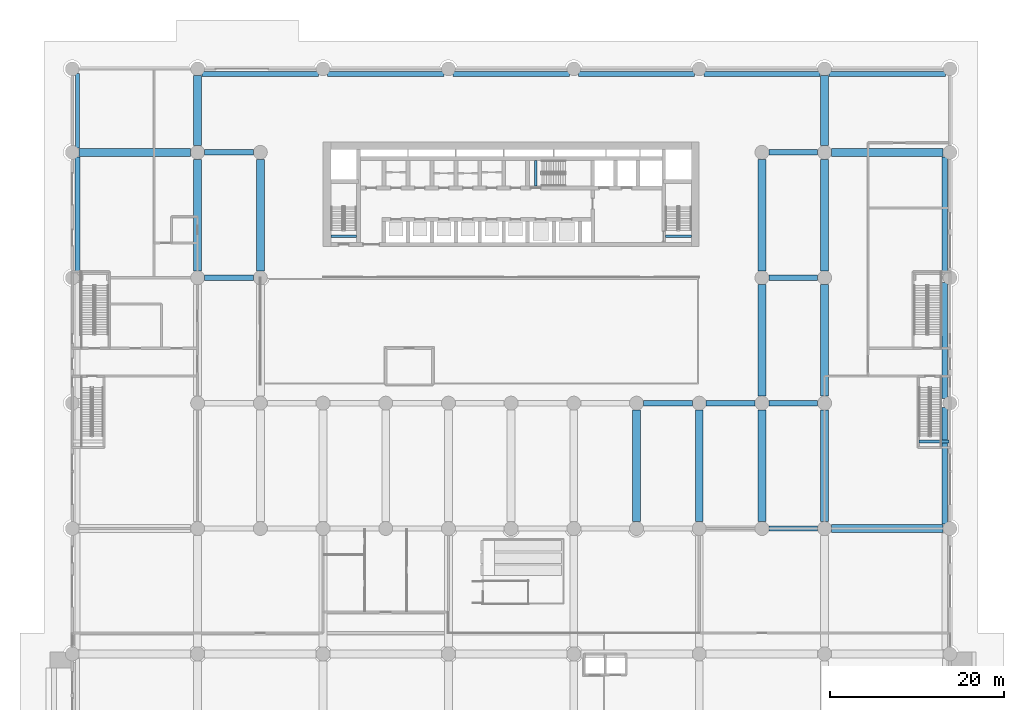
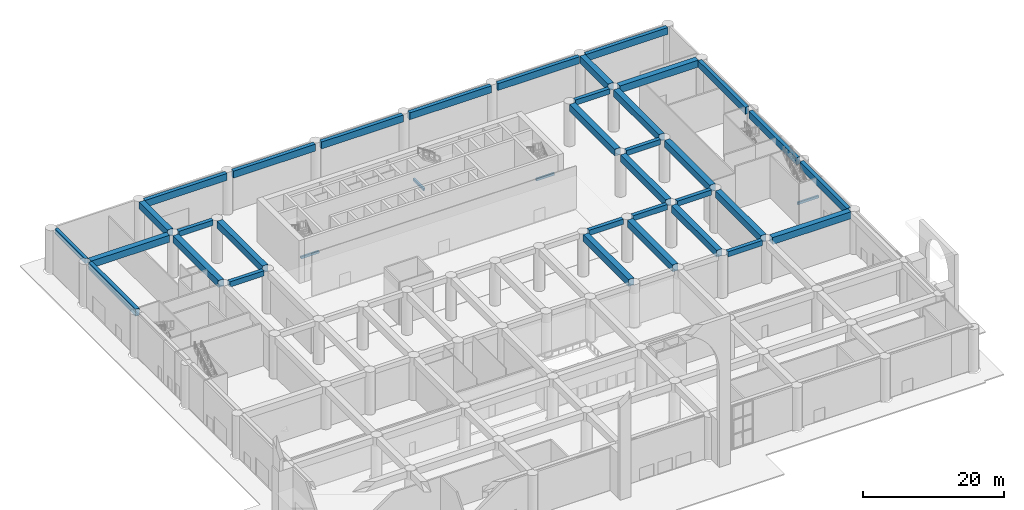
# One storey, part 8 of 32: 38 beams.
"""IFC4 building model written with IfcOpenShell, lengths in metres."""

from ifc_helpers import new_model, si_unit, direction, frame, origin, origin_2d, place, context, subcontext, project, spatial, rectangle, extrude, source, transform, mapped, material, material_profile, profile_set, type_object, element, save


model = new_model("IFC4")

# Units and contexts
model_context = context("Model", 3, precision=1e-05, world=origin(), true_north=direction((0.0, 1.0)))
body_context = subcontext(model_context, "Body", "Model", "MODEL_VIEW")
ifc_project = project(units=[si_unit("LENGTHUNIT", "METRE"), si_unit("AREAUNIT", "SQUARE_METRE"), si_unit("VOLUMEUNIT", "CUBIC_METRE"), si_unit("PLANEANGLEUNIT", "RADIAN"), si_unit("MASSUNIT", "GRAM", prefix="KILO")], contexts=[model_context])

# Site, building, storey
site_placement = place(None, origin())
site = spatial("IfcSite", under=ifc_project, at=site_placement, CompositionType="ELEMENT")
building_placement = place(site_placement, origin())
building = spatial("IfcBuilding", under=site, at=building_placement, Name="Saffron Iwan Residences", CompositionType="ELEMENT")
storey_placement = place(building_placement, origin())
storey = spatial("IfcBuildingStorey", under=building, at=storey_placement, Name="L00", CompositionType="ELEMENT", Elevation=0.0)

# Beams
ifc_material_1 = material(Name="Concrete C50/60", Category="concrete")
ifc_material_profile_1 = material_profile(ifc_material_1, rectangle(XDim=0.5, YDim=0.89990234375, at=origin_2d()), Name="RC 500x900")
ifc_profile_set_1 = profile_set([ifc_material_profile_1], Name="Concrete C50/60")
beam_type_1 = type_object("IfcBeamType", Name="SPANDREL BEAM RC 500x900 C50/60 TOP 7400", PredefinedType="SPANDREL", material=ifc_profile_set_1)
shared_shape_1 = source(origin(), body_context, "Body", "SweptSolid", [
    extrude(rectangle(XDim=0.5, YDim=0.89990234375, at=origin_2d()), origin(), (0.0, 0.0, 1.0), 8.55224609375),
])
beam_1_placement = place(storey_placement, frame((0.60009765625, 77.323974609375, 6.949951171875), z_axis=(0.0, 1.0, 0.0), x_axis=(-1.0, 0.0, 0.0)))
element("IfcBeam", 1, at=beam_1_placement, inside=storey, type_object=beam_type_1, Name="Spandrel beam", PredefinedType="SPANDREL", context=body_context, shape_type="MappedRepresentation", body=[
    mapped(shared_shape_1, transform((0.0, 0.0, 0.0))),
])
ifc_material_profile_2 = material_profile(ifc_material_1, rectangle(XDim=0.60009765625, YDim=1.199951171875, at=origin_2d()), Name="RC 600x1200")
ifc_profile_set_2 = profile_set([ifc_material_profile_2], Name="Concrete C50/60")
beam_type_2 = type_object("IfcBeamType", Name="LINTEL BEAM RC 600x1200 C50/60 TOP 7400", PredefinedType="LINTEL", material=ifc_profile_set_2)
shared_shape_2 = source(origin(), body_context, "Body", "SweptSolid", [
    extrude(rectangle(XDim=0.60009765625, YDim=1.199951171875, at=origin_2d()), origin(), (0.0, 0.0, 1.0), 13.352294921875),
])
for number, where, z_axis, x_axis, name in (
    (2, (100.199951171875, 47.47607421875, 6.800048828125), (0.0, -1.0, 0.0), (1.0, 0.0, 0.0), "Lintel beam over the iwan"),
    (3, (100.199951171875, 61.876220703125, 6.800048828125), (0.0, -1.0, 0.0), (1.0, 0.0, 0.0), "Lintel beam over the iwan"),
    (4, (0.60009765625, 62.923828125, 6.800048828125), (0.0, 1.0, 0.0), (-1.0, 0.0, 0.0), "Lintel beam over the iwan"),
    (5, (100.199951171875, 76.276123046875, 6.800048828125), (0.0, -1.0, 0.0), (1.0, 0.0, 0.0), "Lintel beam over the iwan"),
    (6, (14.923828125, 85.800048828125, 6.800048828125), (1.0, 0.0, 0.0), (0.0, 1.0, 0.0), "Lintel beam over the iwan"),
    (7, (43.723876953125, 85.800048828125, 6.800048828125), (1.0, 0.0, 0.0), (0.0, 1.0, 0.0), "Lintel beam over the iwan"),
    (8, (58.123779296875, 85.800048828125, 6.800048828125), (1.0, 0.0, 0.0), (0.0, 1.0, 0.0), "Lintel beam over the iwan"),
    (9, (72.52392578125, 85.800048828125, 6.800048828125), (1.0, 0.0, 0.0), (0.0, 1.0, 0.0), "Lintel beam over the iwan"),
    (10, (86.923828125, 85.800048828125, 6.800048828125), (1.0, 0.0, 0.0), (0.0, 1.0, 0.0), "Lintel beam over the iwan"),
):
    element("IfcBeam", number, at=place(storey_placement, frame(where, z_axis=z_axis, x_axis=x_axis)), inside=storey, type_object=beam_type_2, Name=name, PredefinedType="LINTEL", context=body_context, shape_type="MappedRepresentation", body=[
        mapped(shared_shape_2, transform((0.0, 0.0, 0.0))),
    ])
shared_shape_3 = source(origin(), body_context, "Body", "SweptSolid", [
    extrude(rectangle(XDim=0.60009765625, YDim=1.199951171875, at=origin_2d()), origin(), (0.0, 0.0, 1.0), 13.35205078125),
])
beam_2_placement = place(storey_placement, frame((29.323974609375, 85.800048828125, 6.800048828125), z_axis=(1.0, 0.0, 0.0), x_axis=(0.0, 1.0, 0.0)))
element("IfcBeam", 11, at=beam_2_placement, inside=storey, type_object=beam_type_2, Name="Lintel beam over the iwan", PredefinedType="LINTEL", context=body_context, shape_type="MappedRepresentation", body=[
    mapped(shared_shape_3, transform((0.0, 0.0, 0.0))),
])
ifc_material_profile_3 = material_profile(ifc_material_1, rectangle(XDim=0.89990234375, YDim=1.199951171875, at=origin_2d()), Name="RC 900x1200")
ifc_profile_set_3 = profile_set([ifc_material_profile_3], Name="Concrete C50/60")
beam_type_3 = type_object("IfcBeamType", Name="BEAM RC 900x1200 C50/60 TOP 7400", PredefinedType="BEAM", material=ifc_profile_set_3)
shared_shape_4 = source(origin(), body_context, "Body", "SweptSolid", [
    extrude(rectangle(XDim=0.89990234375, YDim=1.199951171875, at=origin_2d()), origin(), (0.0, 0.0, 1.0), 8.0),
])
for number, where, z_axis, x_axis, name in (
    (12, (14.39990234375, 77.60009765625, 6.800048828125), (0.0, 1.0, 0.0), (-1.0, 0.0, 0.0), "Floor beam"),
    (13, (86.39990234375, 77.60009765625, 6.800048828125), (0.0, 1.0, 0.0), (-1.0, 0.0, 0.0), "Floor beam"),
):
    element("IfcBeam", number, at=place(storey_placement, frame(where, z_axis=z_axis, x_axis=x_axis)), inside=storey, type_object=beam_type_3, Name=name, PredefinedType="BEAM", context=body_context, shape_type="MappedRepresentation", body=[
        mapped(shared_shape_4, transform((0.0, 0.0, 0.0))),
    ])
shared_shape_5 = source(origin(), body_context, "Body", "SweptSolid", [
    extrude(rectangle(XDim=0.89990234375, YDim=1.199951171875, at=origin_2d()), origin(), (0.0, 0.0, 1.0), 12.800048828125),
])
for number, where, z_axis, x_axis, name in (
    (14, (87.199951171875, 33.60009765625, 6.800048828125), (1.0, 0.0, 0.0), (0.0, 1.0, 0.0), "Floor beam"),
    (15, (64.800048828125, 34.39990234375, 6.800048828125), (0.0, 1.0, 0.0), (-1.0, 0.0, 0.0), "Floor beam"),
    (16, (72.0, 34.39990234375, 6.800048828125), (0.0, 1.0, 0.0), (-1.0, 0.0, 0.0), "Floor beam"),
    (17, (79.199951171875, 34.39990234375, 6.800048828125), (0.0, 1.0, 0.0), (-1.0, 0.0, 0.0), "Floor beam"),
    (18, (86.39990234375, 34.39990234375, 6.800048828125), (0.0, 1.0, 0.0), (-1.0, 0.0, 0.0), "Floor beam"),
    (19, (79.199951171875, 48.800048828125, 6.800048828125), (0.0, 1.0, 0.0), (-1.0, 0.0, 0.0), "Floor beam"),
    (20, (86.39990234375, 48.800048828125, 6.800048828125), (0.0, 1.0, 0.0), (-1.0, 0.0, 0.0), "Floor beam"),
    (21, (14.39990234375, 63.199951171875, 6.800048828125), (0.0, 1.0, 0.0), (-1.0, 0.0, 0.0), "Floor beam"),
    (22, (21.60009765625, 63.199951171875, 6.800048828125), (0.0, 1.0, 0.0), (-1.0, 0.0, 0.0), "Floor beam"),
    (23, (79.199951171875, 63.199951171875, 6.800048828125), (0.0, 1.0, 0.0), (-1.0, 0.0, 0.0), "Floor beam"),
    (24, (86.39990234375, 63.199951171875, 6.800048828125), (0.0, 1.0, 0.0), (-1.0, 0.0, 0.0), "Floor beam"),
    (25, (0.800048828125, 76.800048828125, 6.800048828125), (1.0, 0.0, 0.0), (0.0, 1.0, 0.0), "Floor beam"),
    (26, (87.199951171875, 76.800048828125, 6.800048828125), (1.0, 0.0, 0.0), (0.0, 1.0, 0.0), "Floor beam"),
):
    element("IfcBeam", number, at=place(storey_placement, frame(where, z_axis=z_axis, x_axis=x_axis)), inside=storey, type_object=beam_type_3, Name=name, PredefinedType="BEAM", context=body_context, shape_type="MappedRepresentation", body=[
        mapped(shared_shape_5, transform((0.0, 0.0, 0.0))),
    ])
ifc_material_profile_4 = material_profile(ifc_material_1, rectangle(XDim=0.60009765625, YDim=0.89990234375, at=origin_2d()), Name="RC 600x900")
ifc_profile_set_4 = profile_set([ifc_material_profile_4], Name="Concrete C50/60")
beam_type_4 = type_object("IfcBeamType", Name="BEAM RC 600x900 C50/60 TOP 7400", PredefinedType="BEAM", material=ifc_profile_set_4)
shared_shape_6 = source(origin(), body_context, "Body", "SweptSolid", [
    extrude(rectangle(XDim=0.60009765625, YDim=0.89990234375, at=origin_2d()), origin(), (0.0, 0.0, 1.0), 5.60009765625),
])
for number, where, z_axis, x_axis, name in (
    (27, (80.0, 33.60009765625, 6.949951171875), (1.0, 0.0, 0.0), (0.0, 1.0, 0.0), "Floor beam"),
    (28, (80.0, 48.0, 6.949951171875), (1.0, 0.0, 0.0), (0.0, 1.0, 0.0), "Floor beam"),
    (29, (15.199951171875, 62.39990234375, 6.949951171875), (1.0, 0.0, 0.0), (0.0, 1.0, 0.0), "Floor beam"),
    (30, (80.0, 62.39990234375, 6.949951171875), (1.0, 0.0, 0.0), (0.0, 1.0, 0.0), "Floor beam"),
    (31, (15.199951171875, 76.800048828125, 6.949951171875), (1.0, 0.0, 0.0), (0.0, 1.0, 0.0), "Floor beam"),
    (32, (80.0, 76.800048828125, 6.949951171875), (1.0, 0.0, 0.0), (0.0, 1.0, 0.0), "Floor beam"),
):
    element("IfcBeam", number, at=place(storey_placement, frame(where, z_axis=z_axis, x_axis=x_axis)), inside=storey, type_object=beam_type_4, Name=name, PredefinedType="BEAM", context=body_context, shape_type="MappedRepresentation", body=[
        mapped(shared_shape_6, transform((0.0, 0.0, 0.0))),
    ])
shared_shape_7 = source(origin(), body_context, "Body", "SweptSolid", [
    extrude(rectangle(XDim=0.60009765625, YDim=0.89990234375, at=origin_2d()), origin(), (0.0, 0.0, 1.0), 5.599853515625),
])
for number, where, z_axis, x_axis, name in (
    (33, (65.60009765625, 48.0, 6.949951171875), (1.0, 0.0, 0.0), (0.0, 1.0, 0.0), "Floor beam"),
    (34, (72.800048828125, 48.0, 6.949951171875), (1.0, 0.0, 0.0), (0.0, 1.0, 0.0), "Floor beam"),
):
    element("IfcBeam", number, at=place(storey_placement, frame(where, z_axis=z_axis, x_axis=x_axis)), inside=storey, type_object=beam_type_4, Name=name, PredefinedType="BEAM", context=body_context, shape_type="MappedRepresentation", body=[
        mapped(shared_shape_7, transform((0.0, 0.0, 0.0))),
    ])
ifc_material_profile_5 = material_profile(ifc_material_1, rectangle(XDim=0.300048828125, YDim=0.39990234375, at=origin_2d()), Name="Landing beam RC 300x400 C50/60")
ifc_profile_set_5 = profile_set([ifc_material_profile_5], Name="Concrete C50/60")
beam_type_5 = type_object("IfcBeamType", Name="Landing beam RC 300x400 C50/60", PredefinedType="BEAM", material=ifc_profile_set_5)
shared_shape_8 = source(origin(), body_context, "Body", "SweptSolid", [
    extrude(rectangle(XDim=0.300048828125, YDim=0.39990234375, at=origin_2d()), origin(), (0.0, 0.0, 1.0), 2.949951171875),
])
for number, where, z_axis, x_axis, name in (
    (35, (32.64990234375, 67.14990234375, 3.5), (-1.0, 0.0, 0.0), (0.0, -1.0, 0.0), "ST-W landing beam"),
    (36, (53.22509765625, 72.925048828125, 3.5), (0.0, 1.0, 0.0), (-1.0, 0.0, 0.0), "ST-C landing beam"),
):
    element("IfcBeam", number, at=place(storey_placement, frame(where, z_axis=z_axis, x_axis=x_axis)), inside=storey, type_object=beam_type_5, Name=name, PredefinedType="BEAM", context=body_context, shape_type="MappedRepresentation", body=[
        mapped(shared_shape_8, transform((0.0, 0.0, 0.0))),
    ])
shared_shape_9 = source(origin(), body_context, "Body", "SweptSolid", [
    extrude(rectangle(XDim=0.300048828125, YDim=0.39990234375, at=origin_2d()), origin(), (0.0, 0.0, 1.0), 2.9501953125),
])
beam_3_placement = place(storey_placement, frame((71.10009765625, 67.14990234375, 3.5), z_axis=(-1.0, 0.0, 0.0), x_axis=(0.0, -1.0, 0.0)))
element("IfcBeam", 37, at=beam_3_placement, inside=storey, type_object=beam_type_5, Name="ST-E landing beam", PredefinedType="BEAM", context=body_context, shape_type="MappedRepresentation", body=[
    mapped(shared_shape_9, transform((0.0, 0.0, 0.0))),
])
ifc_material_2 = material(Name="Concrete C40/50", Category="concrete")
ifc_material_profile_6 = material_profile(ifc_material_2, rectangle(XDim=0.300048828125, YDim=0.39990234375, at=origin_2d()), Name="Landing beam RC 300x400 C40/50")
ifc_profile_set_6 = profile_set([ifc_material_profile_6], Name="Concrete C40/50")
beam_type_6 = type_object("IfcBeamType", Name="Landing beam RC 300x400 C40/50", PredefinedType="BEAM", material=ifc_profile_set_6)
shared_shape_10 = source(origin(), body_context, "Body", "SweptSolid", [
    extrude(rectangle(XDim=0.300048828125, YDim=0.39990234375, at=origin_2d()), origin(), (0.0, 0.0, 1.0), 3.449951171875),
])
beam_4_placement = place(storey_placement, frame((97.25, 43.60009765625, 3.5), z_axis=(1.0, 0.0, 0.0), x_axis=(0.0, 1.0, 0.0)))
element("IfcBeam", 38, at=beam_4_placement, inside=storey, type_object=beam_type_6, Name="PS2 landing beam", PredefinedType="BEAM", context=body_context, shape_type="MappedRepresentation", body=[
    mapped(shared_shape_10, transform((0.0, 0.0, 0.0))),
])

save(model, "model.ifc")
